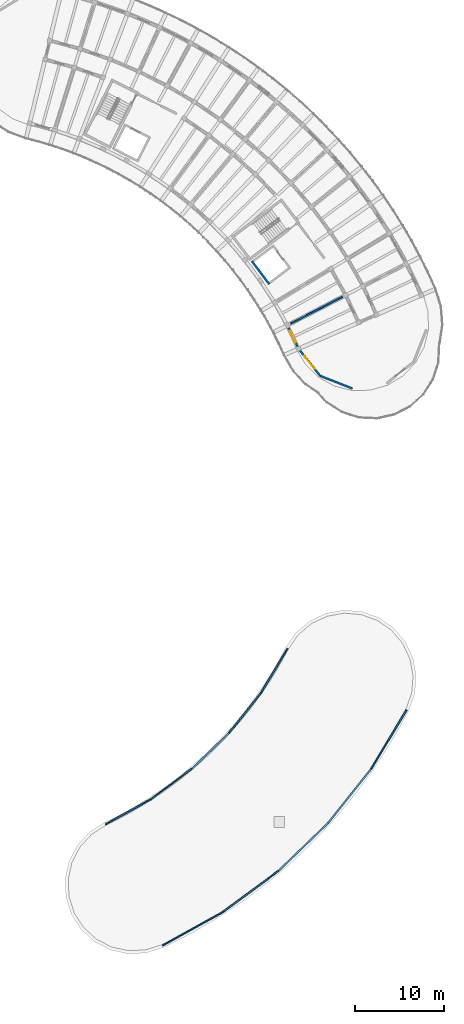
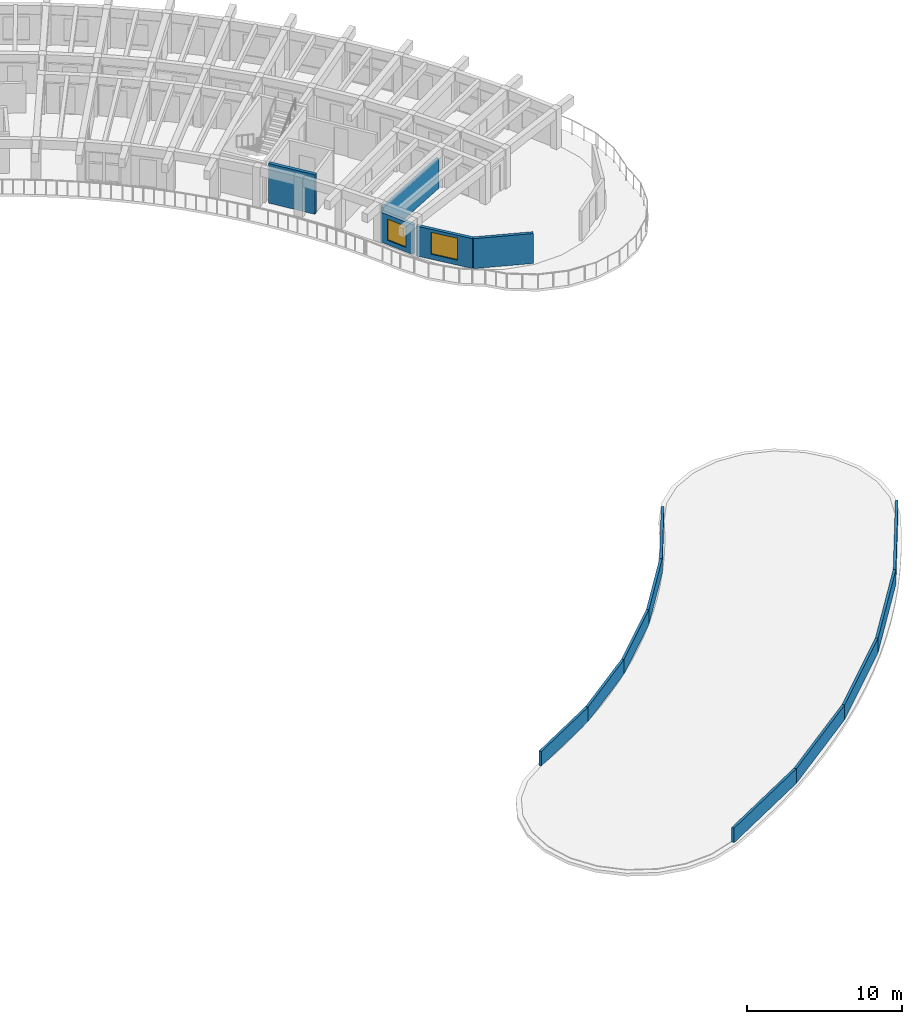
# One storey, part 41 of 62: 15 walls, 2 windows, 2 openings.
"""IFC4 building model written with IfcOpenShell, lengths in metres."""

from ifc_helpers import new_model, si_unit, direction, frame, frame_2d, origin, place, context, subcontext, project, spatial, rectangle, extrude, material, layer, layer_set, type_object, element, fill, save


model = new_model("IFC4")

# Units and contexts
model_context = context("Model", 3, precision=1e-05, world=origin(), true_north=direction((0.0, 1.0)))
body_context = subcontext(model_context, "Body", "Model", "MODEL_VIEW")
ifc_project = project(units=[si_unit("LENGTHUNIT", "METRE"), si_unit("AREAUNIT", "SQUARE_METRE"), si_unit("VOLUMEUNIT", "CUBIC_METRE"), si_unit("PLANEANGLEUNIT", "RADIAN"), si_unit("MASSUNIT", "GRAM", prefix="KILO")], contexts=[model_context])

# Site, building, storey
site_placement = place(None, origin())
site = spatial("IfcSite", under=ifc_project, at=site_placement, CompositionType="ELEMENT")
building_placement = place(site_placement, origin())
building = spatial("IfcBuilding", under=site, at=building_placement, Name="Tanwirah Colonnade Gardens", CompositionType="ELEMENT")
storey_placement = place(building_placement, frame((0.0, 0.0, 32.360107421875)))
storey = spatial("IfcBuildingStorey", under=building, at=storey_placement, Name="L09", CompositionType="ELEMENT", Elevation=32.360107421875)

# Walls
ifc_material_1 = material(Name="White architectural precast concrete C40/50", Category="concrete")
ifc_layer_1 = layer(ifc_material_1, 0.179931640625)
ifc_layer_set_1 = layer_set([ifc_layer_1], Name="White architectural precast concrete C40/50")
wall_type_1 = type_object("IfcWallType", Name="EW-PAR180", PredefinedType="PARAPET", material=ifc_layer_set_1)
wall_1_placement = place(storey_placement, frame((146.402099609375, 10.6396484375, 0.0), z_axis=(0.0, 0.0, 1.0), x_axis=(0.874626994987, 0.484796472388, 0.0)))
element("IfcWall", 1, at=wall_1_placement, inside=storey, type_object=wall_type_1, Name="Block D Roof Cornice Parapet OUT-0", PredefinedType="PARAPET", context=body_context, shape_type="SweptSolid", body=[
    extrude(rectangle(XDim=7.78955078125, YDim=0.179931640625, at=frame_2d((3.894775390625, 0.0))), origin(), (0.0, 0.0, 1.0), 1.14990234375),
])
wall_2_placement = place(storey_placement, frame((139.9609375, 24.296875, 0.0), z_axis=(0.0, 0.0, 1.0), x_axis=(0.874624292428, 0.484801348074, 0.0)))
element("IfcWall", 2, at=wall_2_placement, inside=storey, type_object=wall_type_1, Name="Block D Roof Cornice Parapet IN-0", PredefinedType="PARAPET", context=body_context, shape_type="SweptSolid", body=[
    extrude(rectangle(XDim=5.814453125, YDim=0.179931640625, at=frame_2d((2.9072265625, 0.0))), origin(), (0.0, 0.0, 1.0), 1.14990234375),
])
wall_3_placement = place(storey_placement, frame((153.215087890625, 14.416015625, 0.0), z_axis=(0.0, 0.0, 1.0), x_axis=(0.803838602122, 0.594847460899, 0.0)))
element("IfcWall", 3, at=wall_3_placement, inside=storey, type_object=wall_type_1, Name="Block D Roof Cornice Parapet OUT-2", PredefinedType="PARAPET", context=body_context, shape_type="SweptSolid", body=[
    extrude(rectangle(XDim=7.78955078125, YDim=0.179931640625, at=frame_2d((3.894775390625, 0.0))), origin(), (0.0, 0.0, 1.0), 1.14990234375),
])
wall_4_placement = place(storey_placement, frame((145.04638671875, 27.11572265625, 0.0), z_axis=(0.0, 0.0, 1.0), x_axis=(0.803853142651, 0.594827811262, 0.0)))
element("IfcWall", 4, at=wall_4_placement, inside=storey, type_object=wall_type_1, Name="Block D Roof Cornice Parapet IN-2", PredefinedType="PARAPET", context=body_context, shape_type="SweptSolid", body=[
    extrude(rectangle(XDim=5.814208984375, YDim=0.179931640625, at=frame_2d((2.9072265625, 0.0))), origin(), (0.0, 0.0, 1.0), 1.14990234375),
])
wall_5_placement = place(storey_placement, frame((159.4765625, 19.049560546875, 0.0), z_axis=(0.0, 0.0, 1.0), x_axis=(0.719363116119, 0.694634225451, 0.0)))
element("IfcWall", 5, at=wall_5_placement, inside=storey, type_object=wall_type_1, Name="Block D Roof Cornice Parapet OUT-4", PredefinedType="PARAPET", context=body_context, shape_type="SweptSolid", body=[
    extrude(rectangle(XDim=7.78955078125, YDim=0.179931640625, at=frame_2d((3.894775390625, 0.0))), origin(), (0.0, 0.0, 1.0), 1.14990234375),
])
wall_6_placement = place(storey_placement, frame((149.72021484375, 30.57421875, 0.0), z_axis=(0.0, 0.0, 1.0), x_axis=(0.719323316706, 0.694675439355, 0.0)))
element("IfcWall", 6, at=wall_6_placement, inside=storey, type_object=wall_type_1, Name="Block D Roof Cornice Parapet IN-4", PredefinedType="PARAPET", context=body_context, shape_type="SweptSolid", body=[
    extrude(rectangle(XDim=5.814208984375, YDim=0.179931640625, at=frame_2d((2.9072265625, 0.0))), origin(), (0.0, 0.0, 1.0), 1.14990234375),
])
wall_7_placement = place(storey_placement, frame((165.080078125, 24.46044921875, 0.0), z_axis=(0.0, 0.0, 1.0), x_axis=(0.622494771088, 0.782623958213, 0.0)))
element("IfcWall", 7, at=wall_7_placement, inside=storey, type_object=wall_type_1, Name="Block D Roof Cornice Parapet OUT-6", PredefinedType="PARAPET", context=body_context, shape_type="SweptSolid", body=[
    extrude(rectangle(XDim=7.789306640625, YDim=0.179931640625, at=frame_2d((3.89453125, 0.0))), origin(), (0.0, 0.0, 1.0), 1.14990234375),
])
wall_8_placement = place(storey_placement, frame((153.902587890625, 34.61328125, 0.0), z_axis=(0.0, 0.0, 1.0), x_axis=(0.622531748433, 0.78259454521, 0.0)))
element("IfcWall", 8, at=wall_8_placement, inside=storey, type_object=wall_type_1, Name="Block D Roof Cornice Parapet IN-6", PredefinedType="PARAPET", context=body_context, shape_type="SweptSolid", body=[
    extrude(rectangle(XDim=5.814453125, YDim=0.179931640625, at=frame_2d((2.9072265625, 0.0))), origin(), (0.0, 0.0, 1.0), 1.14990234375),
])
wall_9_placement = place(storey_placement, frame((169.928955078125, 30.556640625, 0.0), z_axis=(0.0, 0.0, 1.0), x_axis=(0.515039524062, 0.857166429962, 0.0)))
element("IfcWall", 9, at=wall_9_placement, inside=storey, type_object=wall_type_1, Name="Block D Roof Cornice Parapet OUT-8", PredefinedType="PARAPET", context=body_context, shape_type="SweptSolid", body=[
    extrude(rectangle(XDim=7.78955078125, YDim=0.179931640625, at=frame_2d((3.894775390625, 0.0))), origin(), (0.0, 0.0, 1.0), 1.14990234375),
])
wall_10_placement = place(storey_placement, frame((157.522216796875, 39.16357421875, 0.0), z_axis=(0.0, 0.0, 1.0), x_axis=(0.515039041259, 0.85716672006, 0.0)))
element("IfcWall", 10, at=wall_10_placement, inside=storey, type_object=wall_type_1, Name="Block D Roof Cornice Parapet IN-8", PredefinedType="PARAPET", context=body_context, shape_type="SweptSolid", body=[
    extrude(rectangle(XDim=5.814453125, YDim=0.179931640625, at=frame_2d((2.9072265625, 0.0))), origin(), (0.0, 0.0, 1.0), 1.14990234375),
])

# Wall, opening, window
ifc_material_2 = material(Name="Limestone architectural precast concrete C40/50", Category="masonry")
ifc_layer_2 = layer(ifc_material_2, 0.219970703125)
ifc_layer_set_2 = layer_set([ifc_layer_2], Name="Limestone architectural precast concrete C40/50")
wall_type_2 = type_object("IfcWallType", Name="EW-PC220", PredefinedType="SOLIDWALL", material=ifc_layer_set_2)
wall_11_placement = place(storey_placement, frame((161.651611328125, 78.16259765625, 0.0), z_axis=(0.0, 0.0, 1.0), x_axis=(-0.429631962494, 0.903004084599, 0.0)))
wall_11 = element("IfcWall", 11, at=wall_11_placement, inside=storey, type_object=wall_type_2, Name="Block B L09 IN Precast Facade Wall 2", PredefinedType="SOLIDWALL", context=body_context, shape_type="SweptSolid", body=[
    extrude(rectangle(XDim=2.545166015625, YDim=0.219970703125, at=frame_2d((1.2724609375, 0.0))), origin(), (0.0, 0.0, 1.0), 2.35498046875),
])
opening_1_placement = place(wall_11_placement, frame((0.552490234375, 0.0, 0.35009765625)))
opening_1 = element("IfcOpeningElement", 12, at=opening_1_placement, cuts=wall_11, Name="Opening WIN-U08", PredefinedType="OPENING", context=body_context, shape_type="SweptSolid", body=[
    extrude(rectangle(XDim=1.43994140625, YDim=1.659912109375, at=frame_2d((0.719970703125, 0.830078125))), frame((0.0, 0.119873046875, 0.0), z_axis=(0.0, -1.0, 0.0), x_axis=(1.0, 0.0, 0.0)), (0.0, 0.0, 1.0), 0.239990234375),
])
ifc_material_3 = material(Name="Thermally broken bronze aluminium and solar low-E double glazing", Category="aluminium")
window_type_1 = type_object("IfcWindowType", Name="WIN-U08", PartitioningType="DOUBLE_PANEL_VERTICAL", PredefinedType="WINDOW", material=ifc_material_3)
window_1_placement = place(opening_1_placement, origin())
window_1 = element("IfcWindow", 13, at=window_1_placement, inside=storey, type_object=window_type_1, Name="Facade window B-L09-IN-02", OverallHeight=1.659912109375, OverallWidth=1.43994140625, PartitioningType="SINGLE_PANEL", PredefinedType="WINDOW", context=body_context, shape_type="SweptSolid", body=[
    extrude(rectangle(XDim=1.43994140625, YDim=1.659912109375, at=frame_2d((0.719970703125, 0.830078125))), frame((0.0, 0.030029296875, 0.0), z_axis=(0.0, -1.0, 0.0), x_axis=(1.0, 0.0, 0.0)), (0.0, 0.0, 1.0), 0.06005859375),
])
fill(opening_1, window_1)

# Wall
wall_12_placement = place(storey_placement, frame((167.819580078125, 73.47900390625, 0.0), z_axis=(0.0, 0.0, 1.0), x_axis=(-0.930784898276, 0.365567330517, 0.0)))
element("IfcWall", 14, at=wall_12_placement, inside=storey, type_object=wall_type_2, Name="Block B L09 START Rounded End Wall 4", PredefinedType="SOLIDWALL", context=body_context, shape_type="SweptSolid", body=[
    extrude(rectangle(XDim=3.908203125, YDim=0.219970703125, at=frame_2d((1.9541015625, 0.0))), origin(), (0.0, 0.0, 1.0), 2.35498046875),
])

# Wall, opening, window
wall_13_placement = place(storey_placement, frame((164.181884765625, 74.90771484375, 0.0), z_axis=(0.0, 0.0, 1.0), x_axis=(-0.623269373034, 0.782007217765, 0.0)))
wall_13 = element("IfcWall", 15, at=wall_13_placement, inside=storey, type_object=wall_type_2, Name="Block B L09 START Rounded End Wall 5", PredefinedType="SOLIDWALL", context=body_context, shape_type="SweptSolid", body=[
    extrude(rectangle(XDim=3.908203125, YDim=0.219970703125, at=frame_2d((1.9541015625, 0.0))), origin(), (0.0, 0.0, 1.0), 2.35498046875),
])
opening_2_placement = place(wall_13_placement, frame((1.029052734375, 0.0, 0.39990234375)))
opening_2 = element("IfcOpeningElement", 16, at=opening_2_placement, cuts=wall_13, Name="Opening WIN-END1", PredefinedType="OPENING", context=body_context, shape_type="SweptSolid", body=[
    extrude(rectangle(XDim=1.85009765625, YDim=1.719970703125, at=frame_2d((0.925048828125, 0.85986328125))), frame((0.0, 0.119873046875, 0.0), z_axis=(0.0, -1.0, 0.0), x_axis=(1.0, 0.0, 0.0)), (0.0, 0.0, 1.0), 0.239990234375),
])
window_type_2 = type_object("IfcWindowType", Name="WIN-END1", PartitioningType="TRIPLE_PANEL_VERTICAL", PredefinedType="WINDOW", material=ifc_material_3)
window_2_placement = place(opening_2_placement, origin())
window_2 = element("IfcWindow", 17, at=window_2_placement, inside=storey, type_object=window_type_2, Name="Rounded corner window B-L09-START-5", OverallHeight=1.719970703125, OverallWidth=1.85009765625, PartitioningType="SINGLE_PANEL", PredefinedType="WINDOW", context=body_context, shape_type="SweptSolid", body=[
    extrude(rectangle(XDim=1.85009765625, YDim=1.719970703125, at=frame_2d((0.925048828125, 0.85986328125))), frame((0.0, 0.030029296875, 0.0), z_axis=(0.0, -1.0, 0.0), x_axis=(1.0, 0.0, 0.0)), (0.0, 0.0, 1.0), 0.06005859375),
])
fill(opening_2, window_2)

# Walls
ifc_material_4 = material(Name="Precast concrete C40/50", Category="concrete")
ifc_layer_3 = layer(ifc_material_4, 0.18505859375)
ifc_layer_set_3 = layer_set([ifc_layer_3], Name="Precast concrete C40/50")
wall_type_3 = type_object("IfcWallType", Name="IW-DEM185", PredefinedType="PARTITIONING", material=ifc_layer_set_3)
wall_14_placement = place(storey_placement, frame((160.842529296875, 80.793701171875, 0.0), z_axis=(0.0, 0.0, 1.0), x_axis=(0.888346696024, 0.459173330741, 0.0)))
element("IfcWall", 18, at=wall_14_placement, inside=storey, type_object=wall_type_3, Name="Block B L09 Inner Radial Partition 2", PredefinedType="PARTITIONING", context=body_context, shape_type="SweptSolid", body=[
    extrude(rectangle(XDim=6.599853515625, YDim=0.18505859375, at=frame_2d((3.2998046875, 0.0))), origin(), (0.0, 0.0, 1.0), 2.369873046875),
])
ifc_material_5 = material(Name="Concrete C45/55", Category="concrete")
ifc_layer_4 = layer(ifc_material_5, 0.22998046875)
ifc_layer_set_4 = layer_set([ifc_layer_4], Name="Concrete C45/55")
wall_type_4 = type_object("IfcWallType", Name="SW-LIFT230", PredefinedType="SHEAR", material=ifc_layer_set_4)
wall_15_placement = place(storey_placement, frame((156.4873046875, 87.855712890625, 0.0), z_axis=(0.0, 0.0, 1.0), x_axis=(0.601819781152, -0.798631924615, 0.0)))
element("IfcWall", 19, at=wall_15_placement, inside=storey, type_object=wall_type_4, Name="CORE-B1 L09 Lift Shaft Wall BACK", PredefinedType="SHEAR", context=body_context, shape_type="SweptSolid", body=[
    extrude(rectangle(XDim=3.260009765625, YDim=0.22998046875, at=frame_2d((1.6298828125, 0.0))), origin(), (0.0, 0.0, 1.0), 3.10986328125),
])

save(model, "model.ifc")
